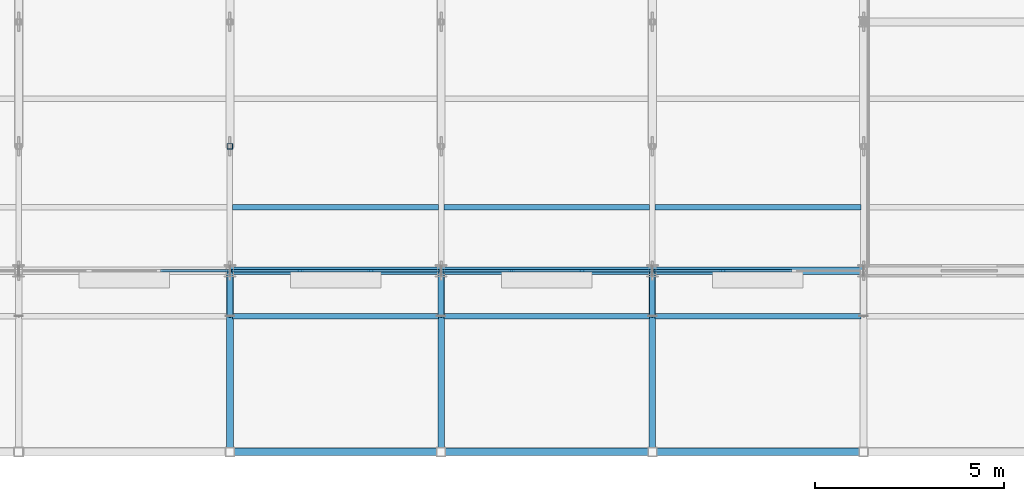
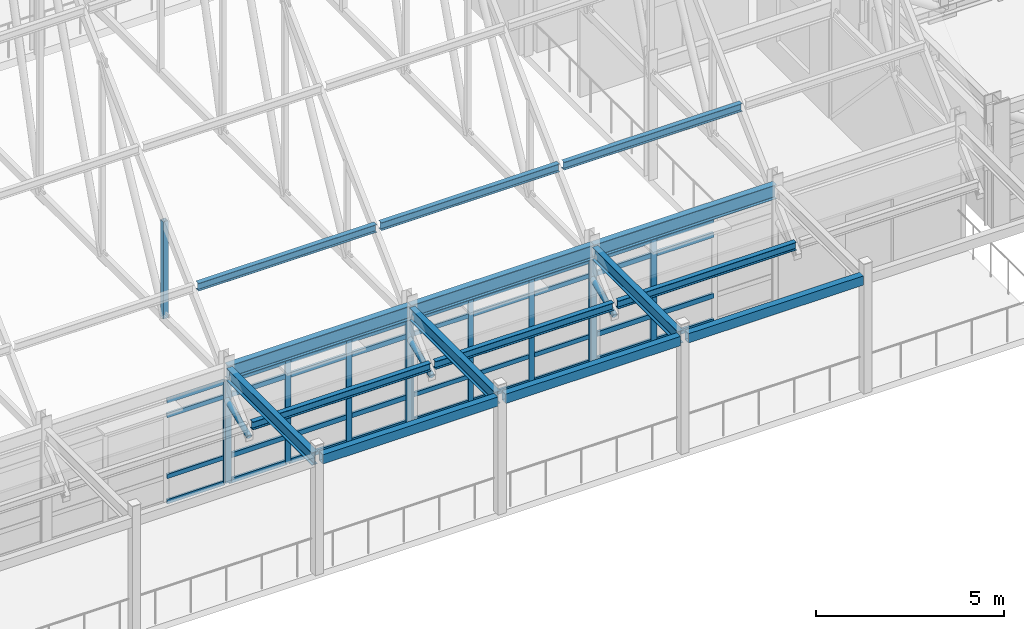
# One storey, part 41 of 144: 57 members, 9 beams, 4 elements without a shape of their own.
"""IFC4 building model written with IfcOpenShell, lengths in metres."""

from ifc_helpers import new_model, si_unit, direction, frame, origin, origin_2d, place, context, subcontext, project, spatial, rectangle, hollow_rectangle, hollow_circle, i_section, extrude, material, layer, layer_set, material_profile, profile_set, type_object, element, aggregate, save


model = new_model("IFC4")

# Units and contexts
model_context = context("Model", 3, precision=1e-05, world=origin(), true_north=direction((0.0, 1.0)))
body_context = subcontext(model_context, "Body", "Model", "MODEL_VIEW")
ifc_project = project(units=[si_unit("LENGTHUNIT", "METRE"), si_unit("AREAUNIT", "SQUARE_METRE"), si_unit("VOLUMEUNIT", "CUBIC_METRE"), si_unit("PLANEANGLEUNIT", "RADIAN"), si_unit("MASSUNIT", "GRAM", prefix="KILO")], contexts=[model_context])

# Site, building, storey
site_placement = place(None, origin())
site = spatial("IfcSite", under=ifc_project, at=site_placement, CompositionType="ELEMENT")
building_placement = place(site_placement, origin())
building = spatial("IfcBuilding", under=site, at=building_placement, Name="Trelmorton Wharf Fire Station", CompositionType="ELEMENT")
storey_placement = place(building_placement, frame((0.0, 0.0, 5.39990234375)))
storey = spatial("IfcBuildingStorey", under=building, at=storey_placement, Name="L01", CompositionType="ELEMENT", Elevation=5.39990234375)

# Beams
ifc_material_1 = material(Name="Steel Grade 350", Category="steel")
ifc_material_profile_1 = material_profile(ifc_material_1, i_section(OverallWidth=0.177978515625, OverallDepth=0.406005859375, WebThickness=0.0078125, FlangeThickness=0.0126953125, FilletRadius=0.011474609375, at=origin_2d()), Name="410UB59.7")
ifc_profile_set_1 = profile_set([ifc_material_profile_1], Name="Steel Grade 350")
beam_type_1 = type_object("IfcBeamType", Name="BM_410UB60", PredefinedType="BEAM", material=ifc_profile_set_1)
for number, where, z_axis, x_axis, name in (
    (1, (34.39990234375, 3.12109375, 3.6171875), (0.0, 1.0, 0.0), (-1.0, 0.0, 0.0), "BM-L01-0581"),
    (2, (40.0, 3.12109375, 3.6171875), (0.0, 1.0, 0.0), (-1.0, 0.0, 0.0), "BM-L01-0582"),
    (3, (45.60009765625, 3.12109375, 3.6171875), (0.0, 1.0, 0.0), (-1.0, 0.0, 0.0), "BM-L01-0583"),
):
    element("IfcBeam", number, at=place(storey_placement, frame(where, z_axis=z_axis, x_axis=x_axis)), inside=storey, type_object=beam_type_1, Name=name, PredefinedType="BEAM", context=body_context, shape_type="SweptSolid", body=[
        extrude(i_section(OverallWidth=0.177978515625, OverallDepth=0.406005859375, WebThickness=0.0078125, FlangeThickness=0.0126953125, FilletRadius=0.011474609375, at=origin_2d()), origin(), (0.0, 0.0, 1.0), 4.525390625),
    ])
ifc_material_2 = material(Name="Signal-red architectural steel Grade 350", Category="steel")
ifc_material_profile_2 = material_profile(ifc_material_2, hollow_rectangle(XDim=0.199951171875, YDim=0.300048828125, WallThickness=0.012451171875, at=origin_2d()), Name="300x200x12.5RHS")
ifc_profile_set_2 = profile_set([ifc_material_profile_2], Name="Signal-red architectural steel Grade 350")
beam_type_2 = type_object("IfcBeamType", Name="BM_RED_300RHS", PredefinedType="BEAM", material=ifc_profile_set_2)
for number, where, z_axis, x_axis, name in (
    (4, (34.52099609375, 3.0, 3.670166015625), (1.0, 0.0, 0.0), (0.0, 1.0, 0.0), "BM-L01-0399"),
    (5, (40.12109375, 3.0, 3.670166015625), (1.0, 0.0, 0.0), (0.0, 1.0, 0.0), "BM-L01-0400"),
):
    element("IfcBeam", number, at=place(storey_placement, frame(where, z_axis=z_axis, x_axis=x_axis)), inside=storey, type_object=beam_type_2, Name=name, PredefinedType="BEAM", context=body_context, shape_type="SweptSolid", body=[
        extrude(hollow_rectangle(XDim=0.199951171875, YDim=0.300048828125, WallThickness=0.012451171875, at=origin_2d()), origin(), (0.0, 0.0, 1.0), 5.35791015625),
    ])
beam_placement = place(storey_placement, frame((45.720947265625, 3.0, 3.670166015625), z_axis=(1.0, 0.0, 0.0), x_axis=(0.0, 1.0, 0.0)))
element("IfcBeam", 6, at=beam_placement, inside=storey, type_object=beam_type_2, Name="BM-L01-0401", PredefinedType="BEAM", context=body_context, shape_type="SweptSolid", body=[
    extrude(hollow_rectangle(XDim=0.199951171875, YDim=0.300048828125, WallThickness=0.012451171875, at=origin_2d()), origin(), (0.0, 0.0, 1.0), 5.358154296875),
])

# Curtain wall, member
ifc_material_3 = material(Name="Anodised aluminium AW-6063", Category="aluminium")
ifc_layer = layer(ifc_material_3, 0.159912109375)
ifc_layer_set = layer_set([ifc_layer], Name="Anodised aluminium AW-6063")
curtain_wall_type = type_object("IfcCurtainWallType", Name="CW_CHIC_A", PredefinedType="USERDEFINED", material=ifc_layer_set)
curtain_wall_1_placement = place(storey_placement, origin())
curtain_wall_1 = element("IfcCurtainWall", 7, at=curtain_wall_1_placement, inside=storey, type_object=curtain_wall_type, Name="CW-V1-L01-005", ObjectType="CHICAGO BAY CURTAIN WALL", PredefinedType="USERDEFINED")
ifc_material_profile_3 = material_profile(ifc_material_3, rectangle(XDim=0.06494140625, YDim=0.159912109375, at=origin_2d()), Name="ALU-65x160")
ifc_profile_set_3 = profile_set([ifc_material_profile_3], Name="Anodised aluminium AW-6063")
member_type_1 = type_object("IfcMemberType", Name="CWM_65x160", PredefinedType="MULLION", material=ifc_profile_set_3)
member_1_placement = place(storey_placement, frame((34.364990234375, 7.800048828125, 0.0), z_axis=(0.0, 0.0, 1.0), x_axis=(0.0, -1.0, 0.0)))
member_1 = element("IfcMember", 8, at=member_1_placement, type_object=member_type_1, Name="CW1 mullion 1", PredefinedType="MULLION", context=body_context, shape_type="SweptSolid", body=[
    extrude(rectangle(XDim=0.06494140625, YDim=0.159912109375, at=origin_2d()), origin(), (0.0, 0.0, 1.0), 3.320068359375),
])

# Curtain wall, members
curtain_wall_2_placement = place(storey_placement, origin())
curtain_wall_2 = element("IfcCurtainWall", 9, at=curtain_wall_2_placement, inside=storey, type_object=curtain_wall_type, Name="CW-V1-L01-007", ObjectType="CHICAGO BAY CURTAIN WALL", PredefinedType="USERDEFINED")
member_2_placement = place(storey_placement, frame((45.56494140625, 7.800048828125, 0.0), z_axis=(0.0, 0.0, 1.0), x_axis=(0.0, -1.0, 0.0)))
member_2 = element("IfcMember", 10, at=member_2_placement, type_object=member_type_1, Name="CW1 mullion 1", PredefinedType="MULLION", context=body_context, shape_type="SweptSolid", body=[
    extrude(rectangle(XDim=0.06494140625, YDim=0.159912109375, at=origin_2d()), origin(), (0.0, 0.0, 1.0), 3.320068359375),
])
member_3_placement = place(storey_placement, frame((43.731689453125, 7.800048828125, 0.0), z_axis=(0.0, 0.0, 1.0), x_axis=(0.0, -1.0, 0.0)))
member_3 = element("IfcMember", 11, at=member_3_placement, type_object=member_type_1, Name="CW1 mullion 2", PredefinedType="MULLION", context=body_context, shape_type="SweptSolid", body=[
    extrude(rectangle(XDim=0.06494140625, YDim=0.159912109375, at=origin_2d()), origin(), (0.0, 0.0, 1.0), 3.320068359375),
])
member_4_placement = place(storey_placement, frame((41.868408203125, 7.800048828125, 0.0), z_axis=(0.0, 0.0, 1.0), x_axis=(0.0, -1.0, 0.0)))
member_4 = element("IfcMember", 12, at=member_4_placement, type_object=member_type_1, Name="CW1 mullion 3", PredefinedType="MULLION", context=body_context, shape_type="SweptSolid", body=[
    extrude(rectangle(XDim=0.06494140625, YDim=0.159912109375, at=origin_2d()), origin(), (0.0, 0.0, 1.0), 3.320068359375),
])
member_5_placement = place(storey_placement, frame((40.034912109375, 7.800048828125, 0.0), z_axis=(0.0, 0.0, 1.0), x_axis=(0.0, -1.0, 0.0)))
member_5 = element("IfcMember", 13, at=member_5_placement, type_object=member_type_1, Name="CW1 mullion 4", PredefinedType="MULLION", context=body_context, shape_type="SweptSolid", body=[
    extrude(rectangle(XDim=0.06494140625, YDim=0.159912109375, at=origin_2d()), origin(), (0.0, 0.0, 1.0), 3.320068359375),
])

curtain_wall_3_placement = place(storey_placement, origin())
curtain_wall_3 = element("IfcCurtainWall", 14, at=curtain_wall_3_placement, inside=storey, type_object=curtain_wall_type, Name="CW-V1-L01-006", ObjectType="CHICAGO BAY CURTAIN WALL", PredefinedType="USERDEFINED")
ifc_material_profile_4 = material_profile(ifc_material_3, rectangle(XDim=0.074951171875, YDim=0.175048828125, at=origin_2d()), Name="ALU-75x175")
ifc_profile_set_4 = profile_set([ifc_material_profile_4], Name="Anodised aluminium AW-6063")
member_type_2 = type_object("IfcMemberType", Name="CWM_75x175", PredefinedType="MULLION", material=ifc_profile_set_4)
member_6_placement = place(storey_placement, frame((39.965087890625, 7.800048828125, 0.0), z_axis=(0.0, 0.0, 1.0), x_axis=(0.0, -1.0, 0.0)))
member_6 = element("IfcMember", 15, at=member_6_placement, type_object=member_type_2, Name="CW1 mullion 1", PredefinedType="MULLION", context=body_context, shape_type="SweptSolid", body=[
    extrude(rectangle(XDim=0.074951171875, YDim=0.175048828125, at=origin_2d()), origin(), (0.0, 0.0, 1.0), 3.320068359375),
])
member_7_placement = place(storey_placement, frame((38.131591796875, 7.800048828125, 0.0), z_axis=(0.0, 0.0, 1.0), x_axis=(0.0, -1.0, 0.0)))
member_7 = element("IfcMember", 16, at=member_7_placement, type_object=member_type_2, Name="CW1 mullion 2", PredefinedType="MULLION", context=body_context, shape_type="SweptSolid", body=[
    extrude(rectangle(XDim=0.074951171875, YDim=0.175048828125, at=origin_2d()), origin(), (0.0, 0.0, 1.0), 3.320068359375),
])
member_8_placement = place(storey_placement, frame((36.268310546875, 7.800048828125, 0.0), z_axis=(0.0, 0.0, 1.0), x_axis=(0.0, -1.0, 0.0)))
member_8 = element("IfcMember", 17, at=member_8_placement, type_object=member_type_2, Name="CW1 mullion 3", PredefinedType="MULLION", context=body_context, shape_type="SweptSolid", body=[
    extrude(rectangle(XDim=0.074951171875, YDim=0.175048828125, at=origin_2d()), origin(), (0.0, 0.0, 1.0), 3.320068359375),
])
member_9_placement = place(storey_placement, frame((34.43505859375, 7.800048828125, 0.0), z_axis=(0.0, 0.0, 1.0), x_axis=(0.0, -1.0, 0.0)))
member_9 = element("IfcMember", 18, at=member_9_placement, type_object=member_type_2, Name="CW1 mullion 4", PredefinedType="MULLION", context=body_context, shape_type="SweptSolid", body=[
    extrude(rectangle(XDim=0.074951171875, YDim=0.175048828125, at=origin_2d()), origin(), (0.0, 0.0, 1.0), 3.320068359375),
])

curtain_wall_4_placement = place(storey_placement, origin())
curtain_wall_4 = element("IfcCurtainWall", 19, at=curtain_wall_4_placement, inside=storey, type_object=curtain_wall_type, Name="CW-V1-L01-008", ObjectType="CHICAGO BAY CURTAIN WALL", PredefinedType="USERDEFINED")
member_10_placement = place(storey_placement, frame((47.46826171875, 7.800048828125, 0.0), z_axis=(0.0, 0.0, 1.0), x_axis=(0.0, -1.0, 0.0)))
member_10 = element("IfcMember", 20, at=member_10_placement, type_object=member_type_2, Name="CW1 mullion 3", PredefinedType="MULLION", context=body_context, shape_type="SweptSolid", body=[
    extrude(rectangle(XDim=0.074951171875, YDim=0.175048828125, at=origin_2d()), origin(), (0.0, 0.0, 1.0), 3.320068359375),
])
member_11_placement = place(storey_placement, frame((45.635009765625, 7.800048828125, 0.0), z_axis=(0.0, 0.0, 1.0), x_axis=(0.0, -1.0, 0.0)))
member_11 = element("IfcMember", 21, at=member_11_placement, type_object=member_type_2, Name="CW1 mullion 4", PredefinedType="MULLION", context=body_context, shape_type="SweptSolid", body=[
    extrude(rectangle(XDim=0.074951171875, YDim=0.175048828125, at=origin_2d()), origin(), (0.0, 0.0, 1.0), 3.320068359375),
])

# Member
ifc_material_profile_5 = material_profile(ifc_material_3, rectangle(XDim=0.06494140625, YDim=0.139892578125, at=origin_2d()), Name="ALU-65x140")
ifc_profile_set_5 = profile_set([ifc_material_profile_5], Name="Anodised aluminium AW-6063")
member_type_3 = type_object("IfcMemberType", Name="CWT_65x140", PredefinedType="USERDEFINED", material=ifc_profile_set_5)
member_12_placement = place(storey_placement, frame((34.3349609375, 7.800048828125, 0.030029296875), z_axis=(-1.0, 0.0, 0.0), x_axis=(0.0, -1.0, 0.0)))
member_12 = element("IfcMember", 22, at=member_12_placement, type_object=member_type_3, Name="CW1 transom 1.1", ObjectType="TRANSOM", PredefinedType="USERDEFINED", context=body_context, shape_type="SweptSolid", body=[
    extrude(rectangle(XDim=0.06494140625, YDim=0.139892578125, at=origin_2d()), origin(), (0.0, 0.0, 1.0), 1.773193359375),
])

member_13_placement = place(storey_placement, frame((34.3349609375, 7.800048828125, 0.85009765625), z_axis=(-1.0, 0.0, 0.0), x_axis=(0.0, -1.0, 0.0)))
member_13 = element("IfcMember", 23, at=member_13_placement, type_object=member_type_3, Name="CW1 transom 1.2", ObjectType="TRANSOM", PredefinedType="USERDEFINED", context=body_context, shape_type="SweptSolid", body=[
    extrude(rectangle(XDim=0.06494140625, YDim=0.139892578125, at=origin_2d()), origin(), (0.0, 0.0, 1.0), 1.773193359375),
])

member_14_placement = place(storey_placement, frame((34.3349609375, 7.800048828125, 2.820068359375), z_axis=(-1.0, 0.0, 0.0), x_axis=(0.0, -1.0, 0.0)))
member_14 = element("IfcMember", 24, at=member_14_placement, type_object=member_type_3, Name="CW1 transom 1.3", ObjectType="TRANSOM", PredefinedType="USERDEFINED", context=body_context, shape_type="SweptSolid", body=[
    extrude(rectangle(XDim=0.06494140625, YDim=0.139892578125, at=origin_2d()), origin(), (0.0, 0.0, 1.0), 1.773193359375),
])

member_15_placement = place(storey_placement, frame((34.3349609375, 7.800048828125, 3.2900390625), z_axis=(-1.0, 0.0, 0.0), x_axis=(0.0, -1.0, 0.0)))
member_15 = element("IfcMember", 25, at=member_15_placement, type_object=member_type_3, Name="CW1 transom 1.4", ObjectType="TRANSOM", PredefinedType="USERDEFINED", context=body_context, shape_type="SweptSolid", body=[
    extrude(rectangle(XDim=0.06494140625, YDim=0.139892578125, at=origin_2d()), origin(), (0.0, 0.0, 1.0), 1.773193359375),
])

aggregate(curtain_wall_1, [member_1, member_12, member_13, member_14, member_15])

member_16_placement = place(storey_placement, frame((45.534912109375, 7.800048828125, 0.030029296875), z_axis=(-1.0, 0.0, 0.0), x_axis=(0.0, -1.0, 0.0)))
member_16 = element("IfcMember", 26, at=member_16_placement, type_object=member_type_3, Name="CW1 transom 1.1", ObjectType="TRANSOM", PredefinedType="USERDEFINED", context=body_context, shape_type="SweptSolid", body=[
    extrude(rectangle(XDim=0.06494140625, YDim=0.139892578125, at=origin_2d()), origin(), (0.0, 0.0, 1.0), 1.773193359375),
])

member_17_placement = place(storey_placement, frame((45.534912109375, 7.800048828125, 0.85009765625), z_axis=(-1.0, 0.0, 0.0), x_axis=(0.0, -1.0, 0.0)))
member_17 = element("IfcMember", 27, at=member_17_placement, type_object=member_type_3, Name="CW1 transom 1.2", ObjectType="TRANSOM", PredefinedType="USERDEFINED", context=body_context, shape_type="SweptSolid", body=[
    extrude(rectangle(XDim=0.06494140625, YDim=0.139892578125, at=origin_2d()), origin(), (0.0, 0.0, 1.0), 1.773193359375),
])

member_18_placement = place(storey_placement, frame((45.534912109375, 7.800048828125, 2.820068359375), z_axis=(-1.0, 0.0, 0.0), x_axis=(0.0, -1.0, 0.0)))
member_18 = element("IfcMember", 28, at=member_18_placement, type_object=member_type_3, Name="CW1 transom 1.3", ObjectType="TRANSOM", PredefinedType="USERDEFINED", context=body_context, shape_type="SweptSolid", body=[
    extrude(rectangle(XDim=0.06494140625, YDim=0.139892578125, at=origin_2d()), origin(), (0.0, 0.0, 1.0), 1.773193359375),
])

member_19_placement = place(storey_placement, frame((45.534912109375, 7.800048828125, 3.2900390625), z_axis=(-1.0, 0.0, 0.0), x_axis=(0.0, -1.0, 0.0)))
member_19 = element("IfcMember", 29, at=member_19_placement, type_object=member_type_3, Name="CW1 transom 1.4", ObjectType="TRANSOM", PredefinedType="USERDEFINED", context=body_context, shape_type="SweptSolid", body=[
    extrude(rectangle(XDim=0.06494140625, YDim=0.139892578125, at=origin_2d()), origin(), (0.0, 0.0, 1.0), 1.773193359375),
])

member_20_placement = place(storey_placement, frame((43.70166015625, 7.800048828125, 0.030029296875), z_axis=(-1.0, 0.0, 0.0), x_axis=(0.0, -1.0, 0.0)))
member_20 = element("IfcMember", 30, at=member_20_placement, type_object=member_type_3, Name="CW1 transom 2.1", ObjectType="TRANSOM", PredefinedType="USERDEFINED", context=body_context, shape_type="SweptSolid", body=[
    extrude(rectangle(XDim=0.06494140625, YDim=0.139892578125, at=origin_2d()), origin(), (0.0, 0.0, 1.0), 1.80322265625),
])

member_21_placement = place(storey_placement, frame((43.70166015625, 7.800048828125, 0.85009765625), z_axis=(-1.0, 0.0, 0.0), x_axis=(0.0, -1.0, 0.0)))
member_21 = element("IfcMember", 31, at=member_21_placement, type_object=member_type_3, Name="CW1 transom 2.2", ObjectType="TRANSOM", PredefinedType="USERDEFINED", context=body_context, shape_type="SweptSolid", body=[
    extrude(rectangle(XDim=0.06494140625, YDim=0.139892578125, at=origin_2d()), origin(), (0.0, 0.0, 1.0), 1.80322265625),
])

member_22_placement = place(storey_placement, frame((43.70166015625, 7.800048828125, 2.820068359375), z_axis=(-1.0, 0.0, 0.0), x_axis=(0.0, -1.0, 0.0)))
member_22 = element("IfcMember", 32, at=member_22_placement, type_object=member_type_3, Name="CW1 transom 2.3", ObjectType="TRANSOM", PredefinedType="USERDEFINED", context=body_context, shape_type="SweptSolid", body=[
    extrude(rectangle(XDim=0.06494140625, YDim=0.139892578125, at=origin_2d()), origin(), (0.0, 0.0, 1.0), 1.80322265625),
])

member_23_placement = place(storey_placement, frame((43.70166015625, 7.800048828125, 3.2900390625), z_axis=(-1.0, 0.0, 0.0), x_axis=(0.0, -1.0, 0.0)))
member_23 = element("IfcMember", 33, at=member_23_placement, type_object=member_type_3, Name="CW1 transom 2.4", ObjectType="TRANSOM", PredefinedType="USERDEFINED", context=body_context, shape_type="SweptSolid", body=[
    extrude(rectangle(XDim=0.06494140625, YDim=0.139892578125, at=origin_2d()), origin(), (0.0, 0.0, 1.0), 1.80322265625),
])

member_24_placement = place(storey_placement, frame((41.83837890625, 7.800048828125, 0.030029296875), z_axis=(-1.0, 0.0, 0.0), x_axis=(0.0, -1.0, 0.0)))
member_24 = element("IfcMember", 34, at=member_24_placement, type_object=member_type_3, Name="CW1 transom 3.1", ObjectType="TRANSOM", PredefinedType="USERDEFINED", context=body_context, shape_type="SweptSolid", body=[
    extrude(rectangle(XDim=0.06494140625, YDim=0.139892578125, at=origin_2d()), origin(), (0.0, 0.0, 1.0), 1.7734375),
])

member_25_placement = place(storey_placement, frame((41.83837890625, 7.800048828125, 0.85009765625), z_axis=(-1.0, 0.0, 0.0), x_axis=(0.0, -1.0, 0.0)))
member_25 = element("IfcMember", 35, at=member_25_placement, type_object=member_type_3, Name="CW1 transom 3.2", ObjectType="TRANSOM", PredefinedType="USERDEFINED", context=body_context, shape_type="SweptSolid", body=[
    extrude(rectangle(XDim=0.06494140625, YDim=0.139892578125, at=origin_2d()), origin(), (0.0, 0.0, 1.0), 1.7734375),
])

member_26_placement = place(storey_placement, frame((41.83837890625, 7.800048828125, 2.820068359375), z_axis=(-1.0, 0.0, 0.0), x_axis=(0.0, -1.0, 0.0)))
member_26 = element("IfcMember", 36, at=member_26_placement, type_object=member_type_3, Name="CW1 transom 3.3", ObjectType="TRANSOM", PredefinedType="USERDEFINED", context=body_context, shape_type="SweptSolid", body=[
    extrude(rectangle(XDim=0.06494140625, YDim=0.139892578125, at=origin_2d()), origin(), (0.0, 0.0, 1.0), 1.7734375),
])

member_27_placement = place(storey_placement, frame((41.83837890625, 7.800048828125, 3.2900390625), z_axis=(-1.0, 0.0, 0.0), x_axis=(0.0, -1.0, 0.0)))
member_27 = element("IfcMember", 37, at=member_27_placement, type_object=member_type_3, Name="CW1 transom 3.4", ObjectType="TRANSOM", PredefinedType="USERDEFINED", context=body_context, shape_type="SweptSolid", body=[
    extrude(rectangle(XDim=0.06494140625, YDim=0.139892578125, at=origin_2d()), origin(), (0.0, 0.0, 1.0), 1.7734375),
])

aggregate(curtain_wall_2, [member_2, member_3, member_4, member_5, member_16, member_17, member_18, member_19, member_20, member_21, member_22, member_23, member_24, member_25, member_26, member_27])

ifc_material_profile_6 = material_profile(ifc_material_3, rectangle(XDim=0.074951171875, YDim=0.155029296875, at=origin_2d()), Name="ALU-75x155")
ifc_profile_set_6 = profile_set([ifc_material_profile_6], Name="Anodised aluminium AW-6063")
member_type_4 = type_object("IfcMemberType", Name="CWT_75x155", PredefinedType="USERDEFINED", material=ifc_profile_set_6)
member_28_placement = place(storey_placement, frame((39.93505859375, 7.800048828125, 0.030029296875), z_axis=(-1.0, 0.0, 0.0), x_axis=(0.0, -1.0, 0.0)))
member_28 = element("IfcMember", 38, at=member_28_placement, type_object=member_type_4, Name="CW1 transom 1.1", ObjectType="TRANSOM", PredefinedType="USERDEFINED", context=body_context, shape_type="SweptSolid", body=[
    extrude(rectangle(XDim=0.074951171875, YDim=0.155029296875, at=origin_2d()), origin(), (0.0, 0.0, 1.0), 1.7734375),
])

member_29_placement = place(storey_placement, frame((39.93505859375, 7.800048828125, 0.85009765625), z_axis=(-1.0, 0.0, 0.0), x_axis=(0.0, -1.0, 0.0)))
member_29 = element("IfcMember", 39, at=member_29_placement, type_object=member_type_4, Name="CW1 transom 1.2", ObjectType="TRANSOM", PredefinedType="USERDEFINED", context=body_context, shape_type="SweptSolid", body=[
    extrude(rectangle(XDim=0.074951171875, YDim=0.155029296875, at=origin_2d()), origin(), (0.0, 0.0, 1.0), 1.7734375),
])

member_30_placement = place(storey_placement, frame((39.93505859375, 7.800048828125, 2.820068359375), z_axis=(-1.0, 0.0, 0.0), x_axis=(0.0, -1.0, 0.0)))
member_30 = element("IfcMember", 40, at=member_30_placement, type_object=member_type_4, Name="CW1 transom 1.3", ObjectType="TRANSOM", PredefinedType="USERDEFINED", context=body_context, shape_type="SweptSolid", body=[
    extrude(rectangle(XDim=0.074951171875, YDim=0.155029296875, at=origin_2d()), origin(), (0.0, 0.0, 1.0), 1.7734375),
])

member_31_placement = place(storey_placement, frame((39.93505859375, 7.800048828125, 3.2900390625), z_axis=(-1.0, 0.0, 0.0), x_axis=(0.0, -1.0, 0.0)))
member_31 = element("IfcMember", 41, at=member_31_placement, type_object=member_type_4, Name="CW1 transom 1.4", ObjectType="TRANSOM", PredefinedType="USERDEFINED", context=body_context, shape_type="SweptSolid", body=[
    extrude(rectangle(XDim=0.074951171875, YDim=0.155029296875, at=origin_2d()), origin(), (0.0, 0.0, 1.0), 1.7734375),
])

member_32_placement = place(storey_placement, frame((38.1015625, 7.800048828125, 0.030029296875), z_axis=(-1.0, 0.0, 0.0), x_axis=(0.0, -1.0, 0.0)))
member_32 = element("IfcMember", 42, at=member_32_placement, type_object=member_type_4, Name="CW1 transom 2.1", ObjectType="TRANSOM", PredefinedType="USERDEFINED", context=body_context, shape_type="SweptSolid", body=[
    extrude(rectangle(XDim=0.074951171875, YDim=0.155029296875, at=origin_2d()), origin(), (0.0, 0.0, 1.0), 1.80322265625),
])

member_33_placement = place(storey_placement, frame((38.1015625, 7.800048828125, 0.85009765625), z_axis=(-1.0, 0.0, 0.0), x_axis=(0.0, -1.0, 0.0)))
member_33 = element("IfcMember", 43, at=member_33_placement, type_object=member_type_4, Name="CW1 transom 2.2", ObjectType="TRANSOM", PredefinedType="USERDEFINED", context=body_context, shape_type="SweptSolid", body=[
    extrude(rectangle(XDim=0.074951171875, YDim=0.155029296875, at=origin_2d()), origin(), (0.0, 0.0, 1.0), 1.80322265625),
])

member_34_placement = place(storey_placement, frame((38.1015625, 7.800048828125, 2.820068359375), z_axis=(-1.0, 0.0, 0.0), x_axis=(0.0, -1.0, 0.0)))
member_34 = element("IfcMember", 44, at=member_34_placement, type_object=member_type_4, Name="CW1 transom 2.3", ObjectType="TRANSOM", PredefinedType="USERDEFINED", context=body_context, shape_type="SweptSolid", body=[
    extrude(rectangle(XDim=0.074951171875, YDim=0.155029296875, at=origin_2d()), origin(), (0.0, 0.0, 1.0), 1.80322265625),
])

member_35_placement = place(storey_placement, frame((38.1015625, 7.800048828125, 3.2900390625), z_axis=(-1.0, 0.0, 0.0), x_axis=(0.0, -1.0, 0.0)))
member_35 = element("IfcMember", 45, at=member_35_placement, type_object=member_type_4, Name="CW1 transom 2.4", ObjectType="TRANSOM", PredefinedType="USERDEFINED", context=body_context, shape_type="SweptSolid", body=[
    extrude(rectangle(XDim=0.074951171875, YDim=0.155029296875, at=origin_2d()), origin(), (0.0, 0.0, 1.0), 1.80322265625),
])

member_36_placement = place(storey_placement, frame((36.23828125, 7.800048828125, 0.030029296875), z_axis=(-1.0, 0.0, 0.0), x_axis=(0.0, -1.0, 0.0)))
member_36 = element("IfcMember", 46, at=member_36_placement, type_object=member_type_4, Name="CW1 transom 3.1", ObjectType="TRANSOM", PredefinedType="USERDEFINED", context=body_context, shape_type="SweptSolid", body=[
    extrude(rectangle(XDim=0.074951171875, YDim=0.155029296875, at=origin_2d()), origin(), (0.0, 0.0, 1.0), 1.773193359375),
])

member_37_placement = place(storey_placement, frame((36.23828125, 7.800048828125, 0.85009765625), z_axis=(-1.0, 0.0, 0.0), x_axis=(0.0, -1.0, 0.0)))
member_37 = element("IfcMember", 47, at=member_37_placement, type_object=member_type_4, Name="CW1 transom 3.2", ObjectType="TRANSOM", PredefinedType="USERDEFINED", context=body_context, shape_type="SweptSolid", body=[
    extrude(rectangle(XDim=0.074951171875, YDim=0.155029296875, at=origin_2d()), origin(), (0.0, 0.0, 1.0), 1.773193359375),
])

member_38_placement = place(storey_placement, frame((36.23828125, 7.800048828125, 2.820068359375), z_axis=(-1.0, 0.0, 0.0), x_axis=(0.0, -1.0, 0.0)))
member_38 = element("IfcMember", 48, at=member_38_placement, type_object=member_type_4, Name="CW1 transom 3.3", ObjectType="TRANSOM", PredefinedType="USERDEFINED", context=body_context, shape_type="SweptSolid", body=[
    extrude(rectangle(XDim=0.074951171875, YDim=0.155029296875, at=origin_2d()), origin(), (0.0, 0.0, 1.0), 1.773193359375),
])

member_39_placement = place(storey_placement, frame((36.23828125, 7.800048828125, 3.2900390625), z_axis=(-1.0, 0.0, 0.0), x_axis=(0.0, -1.0, 0.0)))
member_39 = element("IfcMember", 49, at=member_39_placement, type_object=member_type_4, Name="CW1 transom 3.4", ObjectType="TRANSOM", PredefinedType="USERDEFINED", context=body_context, shape_type="SweptSolid", body=[
    extrude(rectangle(XDim=0.074951171875, YDim=0.155029296875, at=origin_2d()), origin(), (0.0, 0.0, 1.0), 1.773193359375),
])

aggregate(curtain_wall_3, [member_6, member_7, member_8, member_9, member_28, member_29, member_30, member_31, member_32, member_33, member_34, member_35, member_36, member_37, member_38, member_39])

member_40_placement = place(storey_placement, frame((49.3017578125, 7.800048828125, 0.030029296875), z_axis=(-1.0, 0.0, 0.0), x_axis=(0.0, -1.0, 0.0)))
member_40 = element("IfcMember", 50, at=member_40_placement, type_object=member_type_4, Name="CW1 transom 2.1", ObjectType="TRANSOM", PredefinedType="USERDEFINED", context=body_context, shape_type="SweptSolid", body=[
    extrude(rectangle(XDim=0.074951171875, YDim=0.155029296875, at=origin_2d()), origin(), (0.0, 0.0, 1.0), 1.803466796875),
])

member_41_placement = place(storey_placement, frame((49.3017578125, 7.800048828125, 0.85009765625), z_axis=(-1.0, 0.0, 0.0), x_axis=(0.0, -1.0, 0.0)))
member_41 = element("IfcMember", 51, at=member_41_placement, type_object=member_type_4, Name="CW1 transom 2.2", ObjectType="TRANSOM", PredefinedType="USERDEFINED", context=body_context, shape_type="SweptSolid", body=[
    extrude(rectangle(XDim=0.074951171875, YDim=0.155029296875, at=origin_2d()), origin(), (0.0, 0.0, 1.0), 1.803466796875),
])

member_42_placement = place(storey_placement, frame((49.3017578125, 7.800048828125, 2.820068359375), z_axis=(-1.0, 0.0, 0.0), x_axis=(0.0, -1.0, 0.0)))
member_42 = element("IfcMember", 52, at=member_42_placement, type_object=member_type_4, Name="CW1 transom 2.3", ObjectType="TRANSOM", PredefinedType="USERDEFINED", context=body_context, shape_type="SweptSolid", body=[
    extrude(rectangle(XDim=0.074951171875, YDim=0.155029296875, at=origin_2d()), origin(), (0.0, 0.0, 1.0), 1.803466796875),
])

member_43_placement = place(storey_placement, frame((49.3017578125, 7.800048828125, 3.2900390625), z_axis=(-1.0, 0.0, 0.0), x_axis=(0.0, -1.0, 0.0)))
member_43 = element("IfcMember", 53, at=member_43_placement, type_object=member_type_4, Name="CW1 transom 2.4", ObjectType="TRANSOM", PredefinedType="USERDEFINED", context=body_context, shape_type="SweptSolid", body=[
    extrude(rectangle(XDim=0.074951171875, YDim=0.155029296875, at=origin_2d()), origin(), (0.0, 0.0, 1.0), 1.803466796875),
])

member_44_placement = place(storey_placement, frame((47.438232421875, 7.800048828125, 0.030029296875), z_axis=(-1.0, 0.0, 0.0), x_axis=(0.0, -1.0, 0.0)))
member_44 = element("IfcMember", 54, at=member_44_placement, type_object=member_type_4, Name="CW1 transom 3.1", ObjectType="TRANSOM", PredefinedType="USERDEFINED", context=body_context, shape_type="SweptSolid", body=[
    extrude(rectangle(XDim=0.074951171875, YDim=0.155029296875, at=origin_2d()), origin(), (0.0, 0.0, 1.0), 1.773193359375),
])

member_45_placement = place(storey_placement, frame((47.438232421875, 7.800048828125, 0.85009765625), z_axis=(-1.0, 0.0, 0.0), x_axis=(0.0, -1.0, 0.0)))
member_45 = element("IfcMember", 55, at=member_45_placement, type_object=member_type_4, Name="CW1 transom 3.2", ObjectType="TRANSOM", PredefinedType="USERDEFINED", context=body_context, shape_type="SweptSolid", body=[
    extrude(rectangle(XDim=0.074951171875, YDim=0.155029296875, at=origin_2d()), origin(), (0.0, 0.0, 1.0), 1.773193359375),
])

member_46_placement = place(storey_placement, frame((47.438232421875, 7.800048828125, 2.820068359375), z_axis=(-1.0, 0.0, 0.0), x_axis=(0.0, -1.0, 0.0)))
member_46 = element("IfcMember", 56, at=member_46_placement, type_object=member_type_4, Name="CW1 transom 3.3", ObjectType="TRANSOM", PredefinedType="USERDEFINED", context=body_context, shape_type="SweptSolid", body=[
    extrude(rectangle(XDim=0.074951171875, YDim=0.155029296875, at=origin_2d()), origin(), (0.0, 0.0, 1.0), 1.773193359375),
])

member_47_placement = place(storey_placement, frame((47.438232421875, 7.800048828125, 3.2900390625), z_axis=(-1.0, 0.0, 0.0), x_axis=(0.0, -1.0, 0.0)))
member_47 = element("IfcMember", 57, at=member_47_placement, type_object=member_type_4, Name="CW1 transom 3.4", ObjectType="TRANSOM", PredefinedType="USERDEFINED", context=body_context, shape_type="SweptSolid", body=[
    extrude(rectangle(XDim=0.074951171875, YDim=0.155029296875, at=origin_2d()), origin(), (0.0, 0.0, 1.0), 1.773193359375),
])

aggregate(curtain_wall_4, [member_10, member_11, member_40, member_41, member_42, member_43, member_44, member_45, member_46, member_47])

# Members
ifc_material_4 = material(Name="Steel Grade 300 (300 MPa)", Category="steel")
ifc_material_profile_7 = material_profile(ifc_material_4, i_section(OverallWidth=0.14599609375, OverallDepth=0.256103515625, WebThickness=0.00634765625, FlangeThickness=0.010986328125, FilletRadius=0.0087890625, at=origin_2d()), Name="250UB37.3")
ifc_profile_set_7 = profile_set([ifc_material_profile_7], Name="Steel Grade 300 (300 MPa)")
member_type_5 = type_object("IfcMemberType", Name="PR_250UB37", PredefinedType="PURLIN", material=ifc_profile_set_7)
for number, where, z_axis, x_axis, name in (
    (58, (34.471923828125, 6.60009765625, 2.566162109375), (1.0, 0.0, 0.0), (0.0, 1.0, 0.0), "V1-PR-B07-S0"),
    (59, (34.471923828125, 9.47998046875, 5.315185546875), (1.0, 0.0, 0.0), (0.0, 1.0, 0.0), "V1-PR-B07-S1"),
    (60, (40.072021484375, 6.60009765625, 2.566162109375), (1.0, 0.0, 0.0), (0.0, 1.0, 0.0), "V1-PR-B08-S0"),
    (61, (40.072021484375, 9.47998046875, 5.315185546875), (1.0, 0.0, 0.0), (0.0, 1.0, 0.0), "V1-PR-B08-S1"),
):
    element("IfcMember", number, at=place(storey_placement, frame(where, z_axis=z_axis, x_axis=x_axis)), inside=storey, type_object=member_type_5, Name=name, PredefinedType="PURLIN", context=body_context, shape_type="SweptSolid", body=[
        extrude(i_section(OverallWidth=0.14599609375, OverallDepth=0.256103515625, WebThickness=0.00634765625, FlangeThickness=0.010986328125, FilletRadius=0.0087890625, at=origin_2d()), origin(), (0.0, 0.0, 1.0), 5.4560546875),
    ])
for number, where, z_axis, x_axis, name in (
    (62, (45.672119140625, 6.60009765625, 2.566162109375), (1.0, 0.0, 0.0), (0.0, 1.0, 0.0), "V1-PR-B09-S0"),
    (63, (45.672119140625, 9.47998046875, 5.315185546875), (1.0, 0.0, 0.0), (0.0, 1.0, 0.0), "V1-PR-B09-S1"),
):
    element("IfcMember", number, at=place(storey_placement, frame(where, z_axis=z_axis, x_axis=x_axis)), inside=storey, type_object=member_type_5, Name=name, PredefinedType="PURLIN", context=body_context, shape_type="SweptSolid", body=[
        extrude(i_section(OverallWidth=0.14599609375, OverallDepth=0.256103515625, WebThickness=0.00634765625, FlangeThickness=0.010986328125, FilletRadius=0.0087890625, at=origin_2d()), origin(), (0.0, 0.0, 1.0), 5.455810546875),
    ])

# Beams
ifc_material_profile_8 = material_profile(ifc_material_1, i_section(OverallWidth=0.18994140625, OverallDepth=0.45703125, WebThickness=0.009033203125, FlangeThickness=0.014404296875, FilletRadius=0.011474609375, at=origin_2d()), Name="460UB74.6")
ifc_profile_set_8 = profile_set([ifc_material_profile_8], Name="Steel Grade 350")
beam_type_3 = type_object("IfcBeamType", Name="SP_460UB75", PredefinedType="SPANDREL", material=ifc_profile_set_8)
for number, where, z_axis, x_axis, name in (
    (64, (34.404052734375, 7.800048828125, 3.591552734375), (1.0, 0.0, 0.0), (0.0, 1.0, 0.0), "BM-L01-0410"),
    (65, (40.00390625, 7.800048828125, 3.591552734375), (1.0, 0.0, 0.0), (0.0, 1.0, 0.0), "BM-L01-0411"),
    (66, (45.60400390625, 7.800048828125, 3.591552734375), (1.0, 0.0, 0.0), (0.0, 1.0, 0.0), "BM-L01-0412"),
):
    element("IfcBeam", number, at=place(storey_placement, frame(where, z_axis=z_axis, x_axis=x_axis)), inside=storey, type_object=beam_type_3, Name=name, PredefinedType="SPANDREL", context=body_context, shape_type="SweptSolid", body=[
        extrude(i_section(OverallWidth=0.18994140625, OverallDepth=0.45703125, WebThickness=0.009033203125, FlangeThickness=0.014404296875, FilletRadius=0.011474609375, at=origin_2d()), origin(), (0.0, 0.0, 1.0), 5.592041015625),
    ])

# Members
ifc_material_5 = material(Name="Steel C350L0 (350 MPa)", Category="steel")
ifc_material_profile_9 = material_profile(ifc_material_5, hollow_circle(Radius=0.084228515625, WallThickness=0.007080078125, at=origin_2d()), Name="168.3x7.1CHS")
ifc_profile_set_9 = profile_set([ifc_material_profile_9], Name="Steel C350L0 (350 MPa)")
member_type_6 = type_object("IfcMemberType", Name="TR_DIAG_168CHS", PredefinedType="STRUT", material=ifc_profile_set_9)
for number, where, z_axis, x_axis, name in (
    (67, (34.39990234375, 7.800048828125, 2.7001953125), (0.0, -0.924732639899, -0.380617320553), (1.0, 0.0, 0.0), "V1-TR07-EAV-S"),
    (68, (40.0, 7.800048828125, 2.7001953125), (0.0, -0.924732639899, -0.380617320553), (1.0, 0.0, 0.0), "V1-TR08-EAV-S"),
    (69, (45.60009765625, 7.800048828125, 2.7001953125), (0.0, -0.924732639899, -0.380617320553), (1.0, 0.0, 0.0), "V1-TR09-EAV-S"),
):
    element("IfcMember", number, at=place(storey_placement, frame(where, z_axis=z_axis, x_axis=x_axis)), inside=storey, type_object=member_type_6, Name=name, PredefinedType="STRUT", context=body_context, shape_type="SweptSolid", body=[
        extrude(hollow_circle(Radius=0.084228515625, WallThickness=0.007080078125, at=origin_2d()), origin(), (0.0, 0.0, 1.0), 1.297607421875),
    ])
ifc_material_profile_10 = material_profile(ifc_material_5, hollow_rectangle(XDim=0.14990234375, YDim=0.14990234375, WallThickness=0.009033203125, at=origin_2d()), Name="150x150x9.0SHS")
ifc_profile_set_10 = profile_set([ifc_material_profile_10], Name="Steel C350L0 (350 MPa)")
member_type_7 = type_object("IfcMemberType", Name="TR_POST_150SHS", PredefinedType="POST", material=ifc_profile_set_10)
member_48_placement = place(storey_placement, frame((34.39990234375, 11.10009765625, 3.351806640625), z_axis=(0.0, 0.0, 1.0), x_axis=(1.0, 0.0, 0.0)))
element("IfcMember", 70, at=member_48_placement, inside=storey, type_object=member_type_7, Name="V1-TR07-VP-S1", PredefinedType="POST", context=body_context, shape_type="SweptSolid", body=[
    extrude(hollow_rectangle(XDim=0.14990234375, YDim=0.14990234375, WallThickness=0.009033203125, at=origin_2d()), origin(), (0.0, 0.0, 1.0), 3.150146484375),
])

save(model, "model.ifc")
